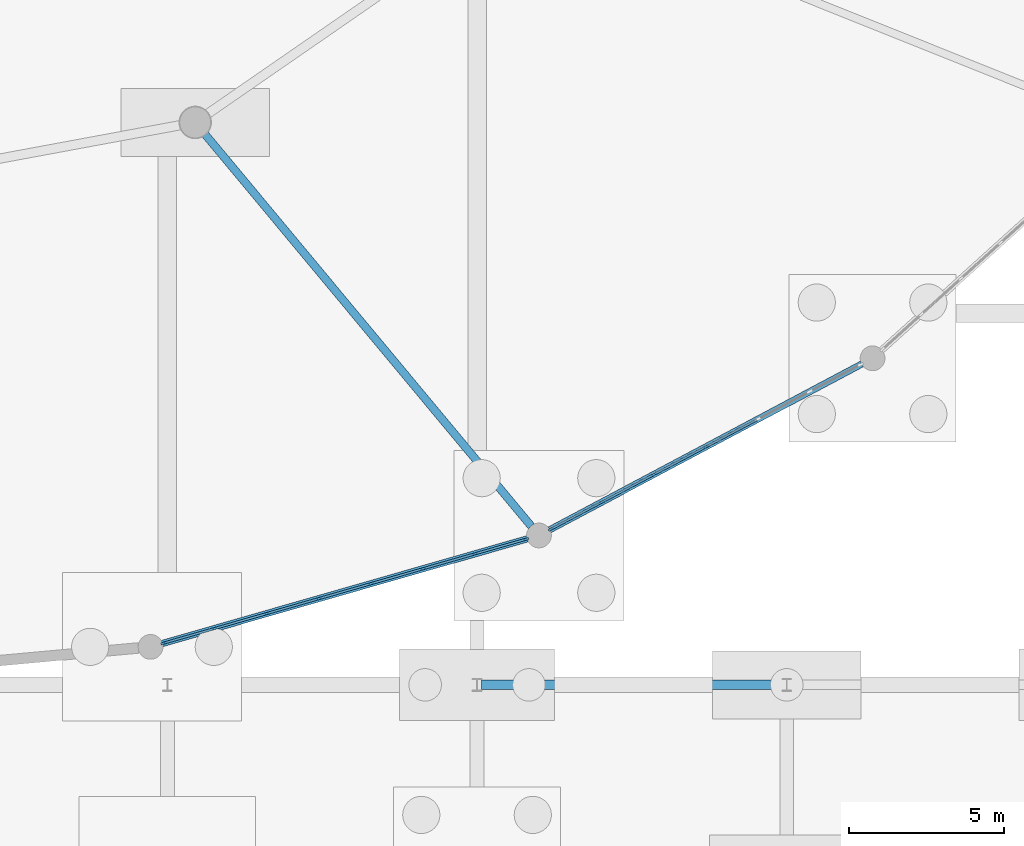
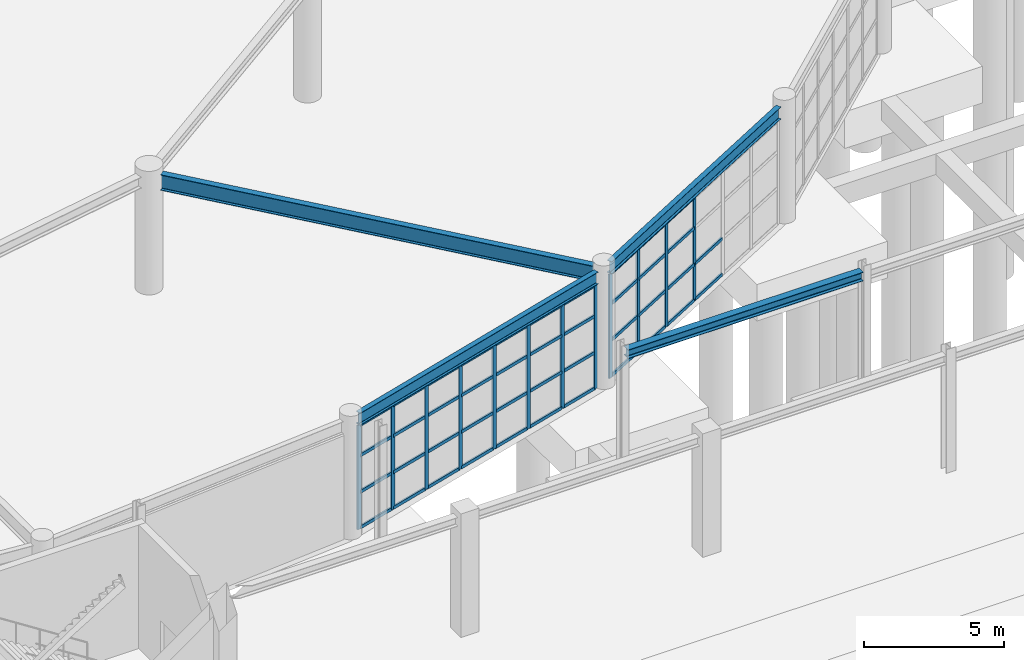
# One storey, part 34 of 99: 54 members, 4 beams, 2 elements without a shape of their own.
"""IFC4 building model written with IfcOpenShell, lengths in metres."""

import ifcopenshell
import ifcopenshell.guid

model = None  # the IFC model being written
_history = None  # IfcOwnerHistory: only IFC2X3 demands one
_inside = {}  # id of a spatial element -> (the spatial element, [elements in it])
_under = {}  # id of a project, library or spatial element -> (it, [spatial elements below it])
_declared = {}  # id of a project -> (the project, [libraries it declares])
_typed = {}  # id of a type object -> (the type object, [elements of that type])
_made_of = {}  # id of a material, layer set ... -> (it, [elements and type objects made of it])


def new_model(schema):
    """Start an empty IFC model of exactly this schema.

    Asked for "IFC4X3", IfcOpenShell would pick the latest addendum, in which some entities
    have other attributes; the version numbers below select the first issue.
    IFC2X3 requires an IfcOwnerHistory on every rooted entity: one is made here for all.
    """
    global model, _history
    if schema == "IFC4X3":
        model = ifcopenshell.file(schema_version=(4, 3, 0, 0))
    else:
        model = ifcopenshell.file(schema=schema)
    _inside.clear()
    _under.clear()
    _declared.clear()
    _typed.clear()
    _made_of.clear()
    _history = None
    if model.schema == "IFC2X3":
        org = make("IfcOrganization", Name="unknown")
        user = make(
            "IfcPersonAndOrganization",
            ThePerson=make("IfcPerson", FamilyName="unknown"),
            TheOrganization=org,
        )
        app = make(
            "IfcApplication",
            ApplicationDeveloper=org,
            Version="unknown",
            ApplicationFullName="unknown",
            ApplicationIdentifier="unknown",
        )
        _history = make(
            "IfcOwnerHistory",
            OwningUser=user,
            OwningApplication=app,
            ChangeAction="ADDED",
            CreationDate=0,
        )
    return model


def make(cls, **values):
    """One entity of the class cls with the attributes given. An attribute that is None is left unset."""
    return model.create_entity(
        cls, **{name: value for name, value in values.items() if value is not None}
    )


def rooted(cls, **values):
    """An entity with a GlobalId (a new one), such as an element, a storey or a relation."""
    return make(cls, GlobalId=ifcopenshell.guid.new(), OwnerHistory=_history, **values)


def si_unit(unit_type, name, prefix=None):
    """IfcSIUnit, for example si_unit("LENGTHUNIT", "METRE", prefix="MILLI")."""
    return make("IfcSIUnit", UnitType=unit_type, Prefix=prefix, Name=name)


def assignment(units):
    """IfcUnitAssignment: the units of a project."""
    return None if units is None else make("IfcUnitAssignment", Units=units)


def point(xyz):
    """IfcCartesianPoint."""
    return None if xyz is None else make("IfcCartesianPoint", Coordinates=xyz)


def direction(xyz):
    """IfcDirection."""
    return None if xyz is None else make("IfcDirection", DirectionRatios=xyz)


def frame(location, z_axis=None, x_axis=None):
    """IfcAxis2Placement3D, a coordinate frame: its origin and axes. An axis left out is left unset."""
    return make(
        "IfcAxis2Placement3D",
        Location=point(location),
        Axis=direction(z_axis),
        RefDirection=direction(x_axis),
    )


def frame_2d(location, x_axis=None):
    """IfcAxis2Placement2D, a coordinate frame in the plane: its origin and x axis."""
    return make(
        "IfcAxis2Placement2D", Location=point(location), RefDirection=direction(x_axis)
    )


def origin():
    """The frame at (0, 0, 0) with its axes left unset."""
    return frame((0.0, 0.0, 0.0))


def origin_2d():
    """The frame at (0, 0) in the plane with its x axis left unset."""
    return frame_2d((0.0, 0.0))


def place(relative_to, where):
    """IfcLocalPlacement: puts the frame where relative to a parent placement (None: the world)."""
    return make(
        "IfcLocalPlacement", PlacementRelTo=relative_to, RelativePlacement=where
    )


def context(
    kind, dimensions, precision=None, world=None, true_north=None, identifier=None
):
    """IfcGeometricRepresentationContext, for example the 3D "Model" context."""
    return make(
        "IfcGeometricRepresentationContext",
        ContextIdentifier=identifier,
        ContextType=kind,
        CoordinateSpaceDimension=dimensions,
        Precision=precision,
        WorldCoordinateSystem=world,
        TrueNorth=true_north,
    )


def subcontext(parent, identifier, kind, view, scale=None):
    """IfcGeometricRepresentationSubContext, for example "Body" below "Model"."""
    return make(
        "IfcGeometricRepresentationSubContext",
        ContextIdentifier=identifier,
        ContextType=kind,
        ParentContext=parent,
        TargetScale=scale,
        TargetView=view,
    )


def project(units=None, contexts=None):
    """IfcProject with its units and contexts."""
    return rooted(
        "IfcProject",
        Name="project",
        RepresentationContexts=contexts,
        UnitsInContext=assignment(units),
    )


def spatial(cls, under=None, at=None, **own):
    """A site, building, storey or space (cls), placed at a placement, below another one or the project."""
    s = rooted(cls, ObjectPlacement=at, **own)
    if under is not None:
        _under.setdefault(under.id(), (under, []))[1].append(s)
    return s


def profile(cls, at=None, kind="AREA", **sizes):
    """A parametric profile (cls). Its sizes go by their IFC names, for example OverallWidth=200.0."""
    return make(cls, ProfileType=kind, Position=at, **sizes)


def rectangle(**sizes):
    """IfcRectangleProfileDef."""
    return profile("IfcRectangleProfileDef", **sizes)


def i_section(**sizes):
    """IfcIShapeProfileDef."""
    return profile("IfcIShapeProfileDef", **sizes)


def extrude(swept, where, along, depth):
    """IfcExtrudedAreaSolid: the profile swept, set in the frame where, extruded along a direction by depth."""
    return make(
        "IfcExtrudedAreaSolid",
        SweptArea=swept,
        Position=where,
        ExtrudedDirection=direction(along),
        Depth=depth,
    )


def shape(context_of_items, identifier, shape_type, items):
    """IfcShapeRepresentation: the items that make up one representation, for example the "Body"."""
    return make(
        "IfcShapeRepresentation",
        ContextOfItems=context_of_items,
        RepresentationIdentifier=identifier,
        RepresentationType=shape_type,
        Items=items,
    )


def material(Name=None, Category=None):
    """IfcMaterial."""
    return make("IfcMaterial", Name=Name, Category=Category)


def layer(
    of_material, thickness, ventilated=None, Name=None, Category=None, Priority=None
):
    """IfcMaterialLayer: one layer of a wall or slab, of a material (None: an air gap)."""
    return make(
        "IfcMaterialLayer",
        Material=of_material,
        LayerThickness=thickness,
        IsVentilated=ventilated,
        Name=Name,
        Category=Category,
        Priority=Priority,
    )


def layer_set(layers, Name=None):
    """IfcMaterialLayerSet."""
    return make("IfcMaterialLayerSet", MaterialLayers=layers, LayerSetName=Name)


def material_profile(
    of_material, cross_section, Name=None, Category=None, Priority=None
):
    """IfcMaterialProfile: a cross section and its material."""
    return make(
        "IfcMaterialProfile",
        Name=Name,
        Material=of_material,
        Profile=cross_section,
        Priority=Priority,
        Category=Category,
    )


def profile_set(profiles, Name=None, composite=None):
    """IfcMaterialProfileSet."""
    return make(
        "IfcMaterialProfileSet",
        Name=Name,
        MaterialProfiles=profiles,
        CompositeProfile=composite,
    )


def made_of(thing, what):
    """Note that an element or type object is made of a material, layer set ...; save() writes the relation."""
    if what is not None:
        _made_of.setdefault(what.id(), (what, []))[1].append(thing)
    return thing


def type_object(cls, material=None, **own):
    """A type object (cls), such as IfcWallType, which elements share."""
    return made_of(rooted(cls, **own), material)


def element(
    cls,
    number,
    at=None,
    inside=None,
    cuts=None,
    type_object=None,
    material=None,
    context=None,
    identifier="Body",
    shape_type=None,
    held_by="IfcProductDefinitionShape",
    body=None,
    shapes=None,
    **own,
):
    """One element of the class cls, such as IfcWall. Its Tag is "e" and its number.

    at: its placement. inside: the storey or other place that contains it. cuts: it is an
    opening in that element (IfcRelVoidsElement). A single representation is given by context,
    identifier, shape_type and body (its items); several are given by shapes. held_by: the class
    of the entity that holds the representations. save() writes the other relations.
    """
    e = rooted(cls, Tag="e%d" % number, ObjectPlacement=at, **own)
    if body is not None:
        shapes = [shape(context, identifier, shape_type, body)]
    if shapes is not None:
        e.Representation = make(held_by, Representations=shapes)
    if inside is not None:
        _inside.setdefault(inside.id(), (inside, []))[1].append(e)
    if cuts is not None:
        rooted(
            "IfcRelVoidsElement", RelatingBuildingElement=cuts, RelatedOpeningElement=e
        )
    if type_object is not None:
        _typed.setdefault(type_object.id(), (type_object, []))[1].append(e)
    return made_of(e, material)


def aggregate(whole, parts):
    """IfcRelAggregates: a whole, such as a stair, and the parts it consists of."""
    return rooted("IfcRelAggregates", RelatingObject=whole, RelatedObjects=parts)


def save(model, path):
    """Write the relations noted so far, then the file.

    IfcRelAggregates (storeys below a building ...), IfcRelContainedInSpatialStructure (elements
    in a storey), IfcRelDefinesByType, IfcRelAssociatesMaterial and IfcRelDeclares: one each for
    every whole, place, type object, material and project.
    """
    for whole, parts in _under.values():
        aggregate(whole, parts)
    for where, things in _inside.values():
        rooted(
            "IfcRelContainedInSpatialStructure",
            RelatedElements=things,
            RelatingStructure=where,
        )
    for kind, things in _typed.values():
        rooted("IfcRelDefinesByType", RelatedObjects=things, RelatingType=kind)
    for what, things in _made_of.values():
        rooted("IfcRelAssociatesMaterial", RelatedObjects=things, RelatingMaterial=what)
    for by, libraries in _declared.values():
        rooted("IfcRelDeclares", RelatingContext=by, RelatedDefinitions=libraries)
    model.write(path)


model = new_model("IFC4")

# Units and contexts
model_context = context("Model", 3, precision=1e-05, world=origin(), true_north=direction((0.0, 1.0)))
body_context = subcontext(model_context, "Body", "Model", "MODEL_VIEW")
ifc_project = project(units=[si_unit("LENGTHUNIT", "METRE"), si_unit("AREAUNIT", "SQUARE_METRE"), si_unit("VOLUMEUNIT", "CUBIC_METRE"), si_unit("PLANEANGLEUNIT", "RADIAN"), si_unit("MASSUNIT", "GRAM", prefix="KILO")], contexts=[model_context])

# Site, building, storey
site_placement = place(None, origin())
site = spatial("IfcSite", under=ifc_project, at=site_placement, CompositionType="ELEMENT")
building_placement = place(site_placement, origin())
building = spatial("IfcBuilding", under=site, at=building_placement, Name="Kivolera Central Railway Station", CompositionType="ELEMENT")
storey_placement = place(building_placement, origin())
storey = spatial("IfcBuildingStorey", under=building, at=storey_placement, Name="L00", CompositionType="ELEMENT", Elevation=0.0)

# Beams
ifc_material_1 = material(Name="Steel S355", Category="steel")
ifc_material_profile_1 = material_profile(ifc_material_1, i_section(OverallWidth=0.300048828125, OverallDepth=0.389892578125, WebThickness=0.010986328125, FlangeThickness=0.01904296875, FilletRadius=0.027099609375, at=origin_2d()), Name="HEA 400")
ifc_profile_set_1 = profile_set([ifc_material_profile_1], Name="Steel S355")
beam_type_1 = type_object("IfcBeamType", Name="BM-SHD-HEA400", PredefinedType="BEAM", material=ifc_profile_set_1)
beam_1_placement = place(storey_placement, frame((88.136962890625, 54.0, 4.919921875), z_axis=(1.0, 0.0, 0.0), x_axis=(0.0, 1.0, 0.0)))
element("IfcBeam", 1, at=beam_1_placement, inside=storey, type_object=beam_type_1, Name="Train Shed Longitudinal Tie Beam E:9-10", PredefinedType="BEAM", context=body_context, shape_type="SweptSolid", body=[
    extrude(i_section(OverallWidth=0.300048828125, OverallDepth=0.389892578125, WebThickness=0.010986328125, FlangeThickness=0.01904296875, FilletRadius=0.027099609375, at=origin_2d()), origin(), (0.0, 0.0, 1.0), 9.72607421875),
])
ifc_material_profile_2 = material_profile(ifc_material_1, i_section(OverallWidth=0.209228515625, OverallDepth=0.533203125, WebThickness=0.010009765625, FlangeThickness=0.015625, FilletRadius=0.0126953125, at=origin_2d()), Name="UB 533x210x92")
ifc_profile_set_2 = profile_set([ifc_material_profile_2], Name="Steel S355")
beam_type_2 = type_object("IfcBeamType", Name="BM-SHD-UB533", PredefinedType="BEAM", material=ifc_profile_set_2)
beam_2_placement = place(storey_placement, frame((77.833984375, 55.333984375, 4.841064453125), z_axis=(0.961238780007, 0.275717260631, 0.0), x_axis=(-0.275717260631, 0.961238780007, 0.0)))
element("IfcBeam", 2, at=beam_2_placement, inside=storey, type_object=beam_type_2, Name="L00 Oval Perimeter Ring Beam 20", PredefinedType="BEAM", context=body_context, shape_type="SweptSolid", body=[
    extrude(i_section(OverallWidth=0.209228515625, OverallDepth=0.533203125, WebThickness=0.010009765625, FlangeThickness=0.015625, FilletRadius=0.0126953125, at=origin_2d()), origin(), (0.0, 0.0, 1.0), 12.266357421875),
])
beam_3_placement = place(storey_placement, frame((90.343994140625, 59.006103515625, 4.841064453125), z_axis=(0.883155588993, 0.469080169725, 0.0), x_axis=(-0.469080169725, 0.883155588993, 0.0)))
element("IfcBeam", 3, at=beam_3_placement, inside=storey, type_object=beam_type_2, Name="L00 Oval Perimeter Ring Beam 21", PredefinedType="BEAM", context=body_context, shape_type="SweptSolid", body=[
    extrude(i_section(OverallWidth=0.209228515625, OverallDepth=0.533203125, WebThickness=0.010009765625, FlangeThickness=0.015625, FilletRadius=0.0126953125, at=origin_2d()), origin(), (0.0, 0.0, 1.0), 11.416015625),
])
ifc_material_profile_3 = material_profile(ifc_material_1, i_section(OverallWidth=0.253662109375, OverallDepth=0.68359375, WebThickness=0.012451171875, FlangeThickness=0.01904296875, FilletRadius=0.01513671875, at=origin_2d()), Name="UB 686x254x140")
ifc_profile_set_3 = profile_set([ifc_material_profile_3], Name="Steel S355")
beam_type_3 = type_object("IfcBeamType", Name="BM-SHD-UB686", PredefinedType="BEAM", material=ifc_profile_set_3)
beam_4_placement = place(storey_placement, frame((79.212890625, 71.782958984375, 4.76611328125), z_axis=(0.639760063775, -0.768574694353, 0.0), x_axis=(0.768574694353, 0.639760063775, 0.0)))
element("IfcBeam", 4, at=beam_4_placement, inside=storey, type_object=beam_type_3, Name="L00 Oval Gallery Radial Girder 11", PredefinedType="BEAM", context=body_context, shape_type="SweptSolid", body=[
    extrude(i_section(OverallWidth=0.253662109375, OverallDepth=0.68359375, WebThickness=0.012451171875, FlangeThickness=0.01904296875, FilletRadius=0.01513671875, at=origin_2d()), origin(), (0.0, 0.0, 1.0), 16.471923828125),
])

# Curtain wall, members
ifc_material_2 = material(Name="Anodised aluminium", Category="aluminium")
ifc_layer_1 = layer(ifc_material_2, 0.179931640625, Name="Anodised aluminium")
ifc_layer_set_1 = layer_set([ifc_layer_1], Name="Anodised aluminium")
curtain_wall_type_1 = type_object("IfcCurtainWallType", Name="CW-SYS-16", PredefinedType="NOTDEFINED", material=ifc_layer_set_1)
curtain_wall_1_placement = place(storey_placement, origin())
curtain_wall_1 = element("IfcCurtainWall", 5, at=curtain_wall_1_placement, inside=storey, type_object=curtain_wall_type_1, Name="L00 Curtain Wall CW-L00-OVL-19", PredefinedType="NOTDEFINED")
ifc_material_profile_4 = material_profile(ifc_material_2, rectangle(XDim=0.070068359375, YDim=0.179931640625, at=origin_2d()), Name="ALU MULL 70x180")
ifc_profile_set_4 = profile_set([ifc_material_profile_4], Name="Anodised aluminium")
member_type_1 = type_object("IfcMemberType", Name="CWM-MUL-1", PredefinedType="MULLION", material=ifc_profile_set_4)
member_1_placement = place(storey_placement, frame((89.581298828125, 58.703369140625, -0.0048828125), z_axis=(0.0, 0.0, 1.0), x_axis=(0.27569168989, -0.961246114232, 0.0)))
member_1 = element("IfcMember", 6, at=member_1_placement, type_object=member_type_1, Name="CW-16 mullion 1", PredefinedType="MULLION", context=body_context, shape_type="SweptSolid", body=[
    extrude(rectangle(XDim=0.070068359375, YDim=0.179931640625, at=origin_2d()), origin(), (0.0, 0.0, 1.0), 4.554931640625),
])
member_2_placement = place(storey_placement, frame((87.933349609375, 58.230712890625, -0.0048828125), z_axis=(0.0, 0.0, 1.0), x_axis=(0.27569168989, -0.961246114232, 0.0)))
member_2 = element("IfcMember", 7, at=member_2_placement, type_object=member_type_1, Name="CW-16 mullion 2", PredefinedType="MULLION", context=body_context, shape_type="SweptSolid", body=[
    extrude(rectangle(XDim=0.070068359375, YDim=0.179931640625, at=origin_2d()), origin(), (0.0, 0.0, 1.0), 4.554931640625),
])
member_3_placement = place(storey_placement, frame((86.251953125, 57.74853515625, -0.0048828125), z_axis=(0.0, 0.0, 1.0), x_axis=(0.27569168989, -0.961246114232, 0.0)))
member_3 = element("IfcMember", 8, at=member_3_placement, type_object=member_type_1, Name="CW-16 mullion 3", PredefinedType="MULLION", context=body_context, shape_type="SweptSolid", body=[
    extrude(rectangle(XDim=0.070068359375, YDim=0.179931640625, at=origin_2d()), origin(), (0.0, 0.0, 1.0), 4.554931640625),
])
member_4_placement = place(storey_placement, frame((84.5703125, 57.26611328125, -0.0048828125), z_axis=(0.0, 0.0, 1.0), x_axis=(0.27569168989, -0.961246114232, 0.0)))
member_4 = element("IfcMember", 9, at=member_4_placement, type_object=member_type_1, Name="CW-16 mullion 4", PredefinedType="MULLION", context=body_context, shape_type="SweptSolid", body=[
    extrude(rectangle(XDim=0.070068359375, YDim=0.179931640625, at=origin_2d()), origin(), (0.0, 0.0, 1.0), 4.554931640625),
])
member_5_placement = place(storey_placement, frame((82.888671875, 56.783935546875, -0.0048828125), z_axis=(0.0, 0.0, 1.0), x_axis=(0.27569168989, -0.961246114232, 0.0)))
member_5 = element("IfcMember", 10, at=member_5_placement, type_object=member_type_1, Name="CW-16 mullion 5", PredefinedType="MULLION", context=body_context, shape_type="SweptSolid", body=[
    extrude(rectangle(XDim=0.070068359375, YDim=0.179931640625, at=origin_2d()), origin(), (0.0, 0.0, 1.0), 4.554931640625),
])
member_6_placement = place(storey_placement, frame((81.20703125, 56.301513671875, -0.0048828125), z_axis=(0.0, 0.0, 1.0), x_axis=(0.27569168989, -0.961246114232, 0.0)))
member_6 = element("IfcMember", 11, at=member_6_placement, type_object=member_type_1, Name="CW-16 mullion 6", PredefinedType="MULLION", context=body_context, shape_type="SweptSolid", body=[
    extrude(rectangle(XDim=0.070068359375, YDim=0.179931640625, at=origin_2d()), origin(), (0.0, 0.0, 1.0), 4.554931640625),
])
member_7_placement = place(storey_placement, frame((79.525634765625, 55.8193359375, -0.0048828125), z_axis=(0.0, 0.0, 1.0), x_axis=(0.27569168989, -0.961246114232, 0.0)))
member_7 = element("IfcMember", 12, at=member_7_placement, type_object=member_type_1, Name="CW-16 mullion 7", PredefinedType="MULLION", context=body_context, shape_type="SweptSolid", body=[
    extrude(rectangle(XDim=0.070068359375, YDim=0.179931640625, at=origin_2d()), origin(), (0.0, 0.0, 1.0), 4.554931640625),
])
member_8_placement = place(storey_placement, frame((77.877685546875, 55.3466796875, -0.0048828125), z_axis=(0.0, 0.0, 1.0), x_axis=(0.27569168989, -0.961246114232, 0.0)))
member_8 = element("IfcMember", 13, at=member_8_placement, type_object=member_type_1, Name="CW-16 mullion 8", PredefinedType="MULLION", context=body_context, shape_type="SweptSolid", body=[
    extrude(rectangle(XDim=0.070068359375, YDim=0.179931640625, at=origin_2d()), origin(), (0.0, 0.0, 1.0), 4.554931640625),
])

ifc_layer_2 = layer(ifc_material_2, 0.179931640625, Name="Anodised aluminium")
ifc_layer_set_2 = layer_set([ifc_layer_2], Name="Anodised aluminium")
curtain_wall_type_2 = type_object("IfcCurtainWallType", Name="CW-SYS-07", PredefinedType="NOTDEFINED", material=ifc_layer_set_2)
curtain_wall_2_placement = place(storey_placement, origin())
curtain_wall_2 = element("IfcCurtainWall", 14, at=curtain_wall_2_placement, inside=storey, type_object=curtain_wall_type_2, Name="L00 Curtain Wall CW-L00-OVL-20", PredefinedType="NOTDEFINED")
member_9_placement = place(storey_placement, frame((95.385009765625, 61.68359375, -0.0048828125), z_axis=(0.0, 0.0, 1.0), x_axis=(0.469052563023, -0.883170251493, 0.0)))
member_9 = element("IfcMember", 15, at=member_9_placement, type_object=member_type_1, Name="CW-07 mullion 4", PredefinedType="MULLION", context=body_context, shape_type="SweptSolid", body=[
    extrude(rectangle(XDim=0.070068359375, YDim=0.179931640625, at=origin_2d()), origin(), (0.0, 0.0, 1.0), 4.554931640625),
])
member_10_placement = place(storey_placement, frame((93.707763671875, 60.792724609375, -0.0048828125), z_axis=(0.0, 0.0, 1.0), x_axis=(0.469052563023, -0.883170251493, 0.0)))
member_10 = element("IfcMember", 16, at=member_10_placement, type_object=member_type_1, Name="CW-07 mullion 5", PredefinedType="MULLION", context=body_context, shape_type="SweptSolid", body=[
    extrude(rectangle(XDim=0.070068359375, YDim=0.179931640625, at=origin_2d()), origin(), (0.0, 0.0, 1.0), 4.554931640625),
])
member_11_placement = place(storey_placement, frame((92.0302734375, 59.90185546875, -0.0048828125), z_axis=(0.0, 0.0, 1.0), x_axis=(0.469052563023, -0.883170251493, 0.0)))
member_11 = element("IfcMember", 17, at=member_11_placement, type_object=member_type_1, Name="CW-07 mullion 6", PredefinedType="MULLION", context=body_context, shape_type="SweptSolid", body=[
    extrude(rectangle(XDim=0.070068359375, YDim=0.179931640625, at=origin_2d()), origin(), (0.0, 0.0, 1.0), 4.554931640625),
])
member_12_placement = place(storey_placement, frame((90.3837890625, 59.02734375, -0.0048828125), z_axis=(0.0, 0.0, 1.0), x_axis=(0.469052563023, -0.883170251493, 0.0)))
member_12 = element("IfcMember", 18, at=member_12_placement, type_object=member_type_1, Name="CW-07 mullion 7", PredefinedType="MULLION", context=body_context, shape_type="SweptSolid", body=[
    extrude(rectangle(XDim=0.070068359375, YDim=0.179931640625, at=origin_2d()), origin(), (0.0, 0.0, 1.0), 4.554931640625),
])

# Member
ifc_material_profile_5 = material_profile(ifc_material_2, rectangle(XDim=0.070068359375, YDim=0.139892578125, at=origin_2d()), Name="ALU TRAN 70x140")
ifc_profile_set_5 = profile_set([ifc_material_profile_5], Name="Anodised aluminium")
member_type_2 = type_object("IfcMemberType", Name="CWM-TRN-1", PredefinedType="USERDEFINED", material=ifc_profile_set_5)
member_13_placement = place(storey_placement, frame((89.547607421875, 58.693603515625, 0.034912109375), z_axis=(-0.961277023143, -0.275583897892, 0.0), x_axis=(0.275583897892, -0.961277023143, 0.0)))
member_13 = element("IfcMember", 19, at=member_13_placement, type_object=member_type_2, Name="CW-16 transom 1.1", ObjectType="TRANSOM", PredefinedType="USERDEFINED", context=body_context, shape_type="SweptSolid", body=[
    extrude(rectangle(XDim=0.070068359375, YDim=0.139892578125, at=origin_2d()), origin(), (0.0, 0.0, 1.0), 1.644287109375),
])

member_14_placement = place(storey_placement, frame((89.547607421875, 58.693603515625, 1.592529296875), z_axis=(-0.961277023143, -0.275583897892, 0.0), x_axis=(0.275583897892, -0.961277023143, 0.0)))
member_14 = element("IfcMember", 20, at=member_14_placement, type_object=member_type_2, Name="CW-16 transom 1.2", ObjectType="TRANSOM", PredefinedType="USERDEFINED", context=body_context, shape_type="SweptSolid", body=[
    extrude(rectangle(XDim=0.070068359375, YDim=0.139892578125, at=origin_2d()), origin(), (0.0, 0.0, 1.0), 1.644287109375),
])

member_15_placement = place(storey_placement, frame((89.547607421875, 58.693603515625, 3.18505859375), z_axis=(-0.961277023143, -0.275583897892, 0.0), x_axis=(0.275583897892, -0.961277023143, 0.0)))
member_15 = element("IfcMember", 21, at=member_15_placement, type_object=member_type_2, Name="CW-16 transom 1.3", ObjectType="TRANSOM", PredefinedType="USERDEFINED", context=body_context, shape_type="SweptSolid", body=[
    extrude(rectangle(XDim=0.070068359375, YDim=0.139892578125, at=origin_2d()), origin(), (0.0, 0.0, 1.0), 1.644287109375),
])

member_16_placement = place(storey_placement, frame((89.547607421875, 58.693603515625, 4.514892578125), z_axis=(-0.961277023143, -0.275583897892, 0.0), x_axis=(0.275583897892, -0.961277023143, 0.0)))
member_16 = element("IfcMember", 22, at=member_16_placement, type_object=member_type_2, Name="CW-16 transom 1.4", ObjectType="TRANSOM", PredefinedType="USERDEFINED", context=body_context, shape_type="SweptSolid", body=[
    extrude(rectangle(XDim=0.070068359375, YDim=0.139892578125, at=origin_2d()), origin(), (0.0, 0.0, 1.0), 1.644287109375),
])

member_17_placement = place(storey_placement, frame((87.89990234375, 58.220947265625, 0.034912109375), z_axis=(-0.961271217599, -0.275604147674, 0.0), x_axis=(0.275604147674, -0.961271217599, 0.0)))
member_17 = element("IfcMember", 23, at=member_17_placement, type_object=member_type_2, Name="CW-16 transom 2.1", ObjectType="TRANSOM", PredefinedType="USERDEFINED", context=body_context, shape_type="SweptSolid", body=[
    extrude(rectangle(XDim=0.070068359375, YDim=0.139892578125, at=origin_2d()), origin(), (0.0, 0.0, 1.0), 1.679443359375),
])

member_18_placement = place(storey_placement, frame((87.89990234375, 58.220947265625, 1.592529296875), z_axis=(-0.961271217599, -0.275604147674, 0.0), x_axis=(0.275604147674, -0.961271217599, 0.0)))
member_18 = element("IfcMember", 24, at=member_18_placement, type_object=member_type_2, Name="CW-16 transom 2.2", ObjectType="TRANSOM", PredefinedType="USERDEFINED", context=body_context, shape_type="SweptSolid", body=[
    extrude(rectangle(XDim=0.070068359375, YDim=0.139892578125, at=origin_2d()), origin(), (0.0, 0.0, 1.0), 1.679443359375),
])

member_19_placement = place(storey_placement, frame((87.89990234375, 58.220947265625, 3.18505859375), z_axis=(-0.961271217599, -0.275604147674, 0.0), x_axis=(0.275604147674, -0.961271217599, 0.0)))
member_19 = element("IfcMember", 25, at=member_19_placement, type_object=member_type_2, Name="CW-16 transom 2.3", ObjectType="TRANSOM", PredefinedType="USERDEFINED", context=body_context, shape_type="SweptSolid", body=[
    extrude(rectangle(XDim=0.070068359375, YDim=0.139892578125, at=origin_2d()), origin(), (0.0, 0.0, 1.0), 1.679443359375),
])

member_20_placement = place(storey_placement, frame((87.89990234375, 58.220947265625, 4.514892578125), z_axis=(-0.961271217599, -0.275604147674, 0.0), x_axis=(0.275604147674, -0.961271217599, 0.0)))
member_20 = element("IfcMember", 26, at=member_20_placement, type_object=member_type_2, Name="CW-16 transom 2.4", ObjectType="TRANSOM", PredefinedType="USERDEFINED", context=body_context, shape_type="SweptSolid", body=[
    extrude(rectangle(XDim=0.070068359375, YDim=0.139892578125, at=origin_2d()), origin(), (0.0, 0.0, 1.0), 1.679443359375),
])

member_21_placement = place(storey_placement, frame((86.21826171875, 57.73876953125, 0.034912109375), z_axis=(-0.961260174018, -0.27564266333, 0.0), x_axis=(0.27564266333, -0.961260174018, 0.0)))
member_21 = element("IfcMember", 27, at=member_21_placement, type_object=member_type_2, Name="CW-16 transom 3.1", ObjectType="TRANSOM", PredefinedType="USERDEFINED", context=body_context, shape_type="SweptSolid", body=[
    extrude(rectangle(XDim=0.070068359375, YDim=0.139892578125, at=origin_2d()), origin(), (0.0, 0.0, 1.0), 1.67919921875),
])

member_22_placement = place(storey_placement, frame((86.21826171875, 57.73876953125, 1.592529296875), z_axis=(-0.961260174018, -0.27564266333, 0.0), x_axis=(0.27564266333, -0.961260174018, 0.0)))
member_22 = element("IfcMember", 28, at=member_22_placement, type_object=member_type_2, Name="CW-16 transom 3.2", ObjectType="TRANSOM", PredefinedType="USERDEFINED", context=body_context, shape_type="SweptSolid", body=[
    extrude(rectangle(XDim=0.070068359375, YDim=0.139892578125, at=origin_2d()), origin(), (0.0, 0.0, 1.0), 1.67919921875),
])

member_23_placement = place(storey_placement, frame((86.21826171875, 57.73876953125, 3.18505859375), z_axis=(-0.961260174018, -0.27564266333, 0.0), x_axis=(0.27564266333, -0.961260174018, 0.0)))
member_23 = element("IfcMember", 29, at=member_23_placement, type_object=member_type_2, Name="CW-16 transom 3.3", ObjectType="TRANSOM", PredefinedType="USERDEFINED", context=body_context, shape_type="SweptSolid", body=[
    extrude(rectangle(XDim=0.070068359375, YDim=0.139892578125, at=origin_2d()), origin(), (0.0, 0.0, 1.0), 1.67919921875),
])

member_24_placement = place(storey_placement, frame((86.21826171875, 57.73876953125, 4.514892578125), z_axis=(-0.961260174018, -0.27564266333, 0.0), x_axis=(0.27564266333, -0.961260174018, 0.0)))
member_24 = element("IfcMember", 30, at=member_24_placement, type_object=member_type_2, Name="CW-16 transom 3.4", ObjectType="TRANSOM", PredefinedType="USERDEFINED", context=body_context, shape_type="SweptSolid", body=[
    extrude(rectangle(XDim=0.070068359375, YDim=0.139892578125, at=origin_2d()), origin(), (0.0, 0.0, 1.0), 1.67919921875),
])

member_25_placement = place(storey_placement, frame((84.53662109375, 57.256591796875, 0.034912109375), z_axis=(-0.961221645359, -0.275776990509, 0.0), x_axis=(0.275776990509, -0.961221645359, 0.0)))
member_25 = element("IfcMember", 31, at=member_25_placement, type_object=member_type_2, Name="CW-16 transom 4.1", ObjectType="TRANSOM", PredefinedType="USERDEFINED", context=body_context, shape_type="SweptSolid", body=[
    extrude(rectangle(XDim=0.070068359375, YDim=0.139892578125, at=origin_2d()), origin(), (0.0, 0.0, 1.0), 1.679443359375),
])

member_26_placement = place(storey_placement, frame((84.53662109375, 57.256591796875, 1.592529296875), z_axis=(-0.961221645359, -0.275776990509, 0.0), x_axis=(0.275776990509, -0.961221645359, 0.0)))
member_26 = element("IfcMember", 32, at=member_26_placement, type_object=member_type_2, Name="CW-16 transom 4.2", ObjectType="TRANSOM", PredefinedType="USERDEFINED", context=body_context, shape_type="SweptSolid", body=[
    extrude(rectangle(XDim=0.070068359375, YDim=0.139892578125, at=origin_2d()), origin(), (0.0, 0.0, 1.0), 1.679443359375),
])

member_27_placement = place(storey_placement, frame((84.53662109375, 57.256591796875, 3.18505859375), z_axis=(-0.961221645359, -0.275776990509, 0.0), x_axis=(0.275776990509, -0.961221645359, 0.0)))
member_27 = element("IfcMember", 33, at=member_27_placement, type_object=member_type_2, Name="CW-16 transom 4.3", ObjectType="TRANSOM", PredefinedType="USERDEFINED", context=body_context, shape_type="SweptSolid", body=[
    extrude(rectangle(XDim=0.070068359375, YDim=0.139892578125, at=origin_2d()), origin(), (0.0, 0.0, 1.0), 1.679443359375),
])

member_28_placement = place(storey_placement, frame((84.53662109375, 57.256591796875, 4.514892578125), z_axis=(-0.961221645359, -0.275776990509, 0.0), x_axis=(0.275776990509, -0.961221645359, 0.0)))
member_28 = element("IfcMember", 34, at=member_28_placement, type_object=member_type_2, Name="CW-16 transom 4.4", ObjectType="TRANSOM", PredefinedType="USERDEFINED", context=body_context, shape_type="SweptSolid", body=[
    extrude(rectangle(XDim=0.070068359375, YDim=0.139892578125, at=origin_2d()), origin(), (0.0, 0.0, 1.0), 1.679443359375),
])

member_29_placement = place(storey_placement, frame((82.85498046875, 56.774169921875, 0.034912109375), z_axis=(-0.961260174018, -0.27564266333, 0.0), x_axis=(0.27564266333, -0.961260174018, 0.0)))
member_29 = element("IfcMember", 35, at=member_29_placement, type_object=member_type_2, Name="CW-16 transom 5.1", ObjectType="TRANSOM", PredefinedType="USERDEFINED", context=body_context, shape_type="SweptSolid", body=[
    extrude(rectangle(XDim=0.070068359375, YDim=0.139892578125, at=origin_2d()), origin(), (0.0, 0.0, 1.0), 1.67919921875),
])

member_30_placement = place(storey_placement, frame((82.85498046875, 56.774169921875, 1.592529296875), z_axis=(-0.961260174018, -0.27564266333, 0.0), x_axis=(0.27564266333, -0.961260174018, 0.0)))
member_30 = element("IfcMember", 36, at=member_30_placement, type_object=member_type_2, Name="CW-16 transom 5.2", ObjectType="TRANSOM", PredefinedType="USERDEFINED", context=body_context, shape_type="SweptSolid", body=[
    extrude(rectangle(XDim=0.070068359375, YDim=0.139892578125, at=origin_2d()), origin(), (0.0, 0.0, 1.0), 1.67919921875),
])

member_31_placement = place(storey_placement, frame((82.85498046875, 56.774169921875, 3.18505859375), z_axis=(-0.961260174018, -0.27564266333, 0.0), x_axis=(0.27564266333, -0.961260174018, 0.0)))
member_31 = element("IfcMember", 37, at=member_31_placement, type_object=member_type_2, Name="CW-16 transom 5.3", ObjectType="TRANSOM", PredefinedType="USERDEFINED", context=body_context, shape_type="SweptSolid", body=[
    extrude(rectangle(XDim=0.070068359375, YDim=0.139892578125, at=origin_2d()), origin(), (0.0, 0.0, 1.0), 1.67919921875),
])

member_32_placement = place(storey_placement, frame((82.85498046875, 56.774169921875, 4.514892578125), z_axis=(-0.961260174018, -0.27564266333, 0.0), x_axis=(0.27564266333, -0.961260174018, 0.0)))
member_32 = element("IfcMember", 38, at=member_32_placement, type_object=member_type_2, Name="CW-16 transom 5.4", ObjectType="TRANSOM", PredefinedType="USERDEFINED", context=body_context, shape_type="SweptSolid", body=[
    extrude(rectangle(XDim=0.070068359375, YDim=0.139892578125, at=origin_2d()), origin(), (0.0, 0.0, 1.0), 1.67919921875),
])

member_33_placement = place(storey_placement, frame((81.173583984375, 56.2919921875, 0.034912109375), z_axis=(-0.961221645359, -0.275776990509, 0.0), x_axis=(0.275776990509, -0.961221645359, 0.0)))
member_33 = element("IfcMember", 39, at=member_33_placement, type_object=member_type_2, Name="CW-16 transom 6.1", ObjectType="TRANSOM", PredefinedType="USERDEFINED", context=body_context, shape_type="SweptSolid", body=[
    extrude(rectangle(XDim=0.070068359375, YDim=0.139892578125, at=origin_2d()), origin(), (0.0, 0.0, 1.0), 1.679443359375),
])

member_34_placement = place(storey_placement, frame((81.173583984375, 56.2919921875, 1.592529296875), z_axis=(-0.961221645359, -0.275776990509, 0.0), x_axis=(0.275776990509, -0.961221645359, 0.0)))
member_34 = element("IfcMember", 40, at=member_34_placement, type_object=member_type_2, Name="CW-16 transom 6.2", ObjectType="TRANSOM", PredefinedType="USERDEFINED", context=body_context, shape_type="SweptSolid", body=[
    extrude(rectangle(XDim=0.070068359375, YDim=0.139892578125, at=origin_2d()), origin(), (0.0, 0.0, 1.0), 1.679443359375),
])

member_35_placement = place(storey_placement, frame((81.173583984375, 56.2919921875, 3.18505859375), z_axis=(-0.961221645359, -0.275776990509, 0.0), x_axis=(0.275776990509, -0.961221645359, 0.0)))
member_35 = element("IfcMember", 41, at=member_35_placement, type_object=member_type_2, Name="CW-16 transom 6.3", ObjectType="TRANSOM", PredefinedType="USERDEFINED", context=body_context, shape_type="SweptSolid", body=[
    extrude(rectangle(XDim=0.070068359375, YDim=0.139892578125, at=origin_2d()), origin(), (0.0, 0.0, 1.0), 1.679443359375),
])

member_36_placement = place(storey_placement, frame((81.173583984375, 56.2919921875, 4.514892578125), z_axis=(-0.961221645359, -0.275776990509, 0.0), x_axis=(0.275776990509, -0.961221645359, 0.0)))
member_36 = element("IfcMember", 42, at=member_36_placement, type_object=member_type_2, Name="CW-16 transom 6.4", ObjectType="TRANSOM", PredefinedType="USERDEFINED", context=body_context, shape_type="SweptSolid", body=[
    extrude(rectangle(XDim=0.070068359375, YDim=0.139892578125, at=origin_2d()), origin(), (0.0, 0.0, 1.0), 1.679443359375),
])

member_37_placement = place(storey_placement, frame((79.491943359375, 55.8095703125, 0.034912109375), z_axis=(-0.961237680042, -0.275721095434, 0.0), x_axis=(0.275721095434, -0.961237680042, 0.0)))
member_37 = element("IfcMember", 43, at=member_37_placement, type_object=member_type_2, Name="CW-16 transom 7.1", ObjectType="TRANSOM", PredefinedType="USERDEFINED", context=body_context, shape_type="SweptSolid", body=[
    extrude(rectangle(XDim=0.070068359375, YDim=0.139892578125, at=origin_2d()), origin(), (0.0, 0.0, 1.0), 1.644287109375),
])

member_38_placement = place(storey_placement, frame((79.491943359375, 55.8095703125, 1.592529296875), z_axis=(-0.961237680042, -0.275721095434, 0.0), x_axis=(0.275721095434, -0.961237680042, 0.0)))
member_38 = element("IfcMember", 44, at=member_38_placement, type_object=member_type_2, Name="CW-16 transom 7.2", ObjectType="TRANSOM", PredefinedType="USERDEFINED", context=body_context, shape_type="SweptSolid", body=[
    extrude(rectangle(XDim=0.070068359375, YDim=0.139892578125, at=origin_2d()), origin(), (0.0, 0.0, 1.0), 1.644287109375),
])

member_39_placement = place(storey_placement, frame((79.491943359375, 55.8095703125, 3.18505859375), z_axis=(-0.961237680042, -0.275721095434, 0.0), x_axis=(0.275721095434, -0.961237680042, 0.0)))
member_39 = element("IfcMember", 45, at=member_39_placement, type_object=member_type_2, Name="CW-16 transom 7.3", ObjectType="TRANSOM", PredefinedType="USERDEFINED", context=body_context, shape_type="SweptSolid", body=[
    extrude(rectangle(XDim=0.070068359375, YDim=0.139892578125, at=origin_2d()), origin(), (0.0, 0.0, 1.0), 1.644287109375),
])

member_40_placement = place(storey_placement, frame((79.491943359375, 55.8095703125, 4.514892578125), z_axis=(-0.961237680042, -0.275721095434, 0.0), x_axis=(0.275721095434, -0.961237680042, 0.0)))
member_40 = element("IfcMember", 46, at=member_40_placement, type_object=member_type_2, Name="CW-16 transom 7.4", ObjectType="TRANSOM", PredefinedType="USERDEFINED", context=body_context, shape_type="SweptSolid", body=[
    extrude(rectangle(XDim=0.070068359375, YDim=0.139892578125, at=origin_2d()), origin(), (0.0, 0.0, 1.0), 1.644287109375),
])

aggregate(curtain_wall_1, [member_1, member_2, member_3, member_4, member_5, member_6, member_7, member_8, member_13, member_14, member_15, member_16, member_17, member_18, member_19, member_20, member_21, member_22, member_23, member_24, member_25, member_26, member_27, member_28, member_29, member_30, member_31, member_32, member_33, member_34, member_35, member_36, member_37, member_38, member_39, member_40])

member_41_placement = place(storey_placement, frame((97.031494140625, 62.557861328125, 0.034912109375), z_axis=(-0.88318656257, -0.469021849913, 0.0), x_axis=(0.469021849913, -0.88318656257, 0.0)))
member_41 = element("IfcMember", 47, at=member_41_placement, type_object=member_type_2, Name="CW-07 transom 3.1", ObjectType="TRANSOM", PredefinedType="USERDEFINED", context=body_context, shape_type="SweptSolid", body=[
    extrude(rectangle(XDim=0.070068359375, YDim=0.139892578125, at=origin_2d()), origin(), (0.0, 0.0, 1.0), 1.8291015625),
])

member_42_placement = place(storey_placement, frame((97.031494140625, 62.557861328125, 1.592529296875), z_axis=(-0.88318656257, -0.469021849913, 0.0), x_axis=(0.469021849913, -0.88318656257, 0.0)))
member_42 = element("IfcMember", 48, at=member_42_placement, type_object=member_type_2, Name="CW-07 transom 3.2", ObjectType="TRANSOM", PredefinedType="USERDEFINED", context=body_context, shape_type="SweptSolid", body=[
    extrude(rectangle(XDim=0.070068359375, YDim=0.139892578125, at=origin_2d()), origin(), (0.0, 0.0, 1.0), 1.8291015625),
])

member_43_placement = place(storey_placement, frame((95.35400390625, 61.6669921875, 0.034912109375), z_axis=(-0.88318656257, -0.469021849913, 0.0), x_axis=(0.469021849913, -0.88318656257, 0.0)))
member_43 = element("IfcMember", 49, at=member_43_placement, type_object=member_type_2, Name="CW-07 transom 4.1", ObjectType="TRANSOM", PredefinedType="USERDEFINED", context=body_context, shape_type="SweptSolid", body=[
    extrude(rectangle(XDim=0.070068359375, YDim=0.139892578125, at=origin_2d()), origin(), (0.0, 0.0, 1.0), 1.8291015625),
])

member_44_placement = place(storey_placement, frame((95.35400390625, 61.6669921875, 1.592529296875), z_axis=(-0.88318656257, -0.469021849913, 0.0), x_axis=(0.469021849913, -0.88318656257, 0.0)))
member_44 = element("IfcMember", 50, at=member_44_placement, type_object=member_type_2, Name="CW-07 transom 4.2", ObjectType="TRANSOM", PredefinedType="USERDEFINED", context=body_context, shape_type="SweptSolid", body=[
    extrude(rectangle(XDim=0.070068359375, YDim=0.139892578125, at=origin_2d()), origin(), (0.0, 0.0, 1.0), 1.8291015625),
])

member_45_placement = place(storey_placement, frame((95.35400390625, 61.6669921875, 3.18505859375), z_axis=(-0.88318656257, -0.469021849913, 0.0), x_axis=(0.469021849913, -0.88318656257, 0.0)))
member_45 = element("IfcMember", 51, at=member_45_placement, type_object=member_type_2, Name="CW-07 transom 4.3", ObjectType="TRANSOM", PredefinedType="USERDEFINED", context=body_context, shape_type="SweptSolid", body=[
    extrude(rectangle(XDim=0.070068359375, YDim=0.139892578125, at=origin_2d()), origin(), (0.0, 0.0, 1.0), 1.8291015625),
])

member_46_placement = place(storey_placement, frame((95.35400390625, 61.6669921875, 4.514892578125), z_axis=(-0.88318656257, -0.469021849913, 0.0), x_axis=(0.469021849913, -0.88318656257, 0.0)))
member_46 = element("IfcMember", 52, at=member_46_placement, type_object=member_type_2, Name="CW-07 transom 4.4", ObjectType="TRANSOM", PredefinedType="USERDEFINED", context=body_context, shape_type="SweptSolid", body=[
    extrude(rectangle(XDim=0.070068359375, YDim=0.139892578125, at=origin_2d()), origin(), (0.0, 0.0, 1.0), 1.8291015625),
])

member_47_placement = place(storey_placement, frame((93.6767578125, 60.7763671875, 0.034912109375), z_axis=(-0.883131271136, -0.469125951042, 0.0), x_axis=(0.469125951042, -0.883131271136, 0.0)))
member_47 = element("IfcMember", 53, at=member_47_placement, type_object=member_type_2, Name="CW-07 transom 5.1", ObjectType="TRANSOM", PredefinedType="USERDEFINED", context=body_context, shape_type="SweptSolid", body=[
    extrude(rectangle(XDim=0.070068359375, YDim=0.139892578125, at=origin_2d()), origin(), (0.0, 0.0, 1.0), 1.829345703125),
])

member_48_placement = place(storey_placement, frame((93.6767578125, 60.7763671875, 1.592529296875), z_axis=(-0.883131271136, -0.469125951042, 0.0), x_axis=(0.469125951042, -0.883131271136, 0.0)))
member_48 = element("IfcMember", 54, at=member_48_placement, type_object=member_type_2, Name="CW-07 transom 5.2", ObjectType="TRANSOM", PredefinedType="USERDEFINED", context=body_context, shape_type="SweptSolid", body=[
    extrude(rectangle(XDim=0.070068359375, YDim=0.139892578125, at=origin_2d()), origin(), (0.0, 0.0, 1.0), 1.829345703125),
])

member_49_placement = place(storey_placement, frame((93.6767578125, 60.7763671875, 3.18505859375), z_axis=(-0.883131271136, -0.469125951042, 0.0), x_axis=(0.469125951042, -0.883131271136, 0.0)))
member_49 = element("IfcMember", 55, at=member_49_placement, type_object=member_type_2, Name="CW-07 transom 5.3", ObjectType="TRANSOM", PredefinedType="USERDEFINED", context=body_context, shape_type="SweptSolid", body=[
    extrude(rectangle(XDim=0.070068359375, YDim=0.139892578125, at=origin_2d()), origin(), (0.0, 0.0, 1.0), 1.829345703125),
])

member_50_placement = place(storey_placement, frame((93.6767578125, 60.7763671875, 4.514892578125), z_axis=(-0.883131271136, -0.469125951042, 0.0), x_axis=(0.469125951042, -0.883131271136, 0.0)))
member_50 = element("IfcMember", 56, at=member_50_placement, type_object=member_type_2, Name="CW-07 transom 5.4", ObjectType="TRANSOM", PredefinedType="USERDEFINED", context=body_context, shape_type="SweptSolid", body=[
    extrude(rectangle(XDim=0.070068359375, YDim=0.139892578125, at=origin_2d()), origin(), (0.0, 0.0, 1.0), 1.829345703125),
])

member_51_placement = place(storey_placement, frame((91.99951171875, 59.885498046875, 0.034912109375), z_axis=(-0.883191460259, -0.469012627255, 0.0), x_axis=(0.469012627255, -0.883191460259, 0.0)))
member_51 = element("IfcMember", 57, at=member_51_placement, type_object=member_type_2, Name="CW-07 transom 6.1", ObjectType="TRANSOM", PredefinedType="USERDEFINED", context=body_context, shape_type="SweptSolid", body=[
    extrude(rectangle(XDim=0.070068359375, YDim=0.139892578125, at=origin_2d()), origin(), (0.0, 0.0, 1.0), 1.794189453125),
])

member_52_placement = place(storey_placement, frame((91.99951171875, 59.885498046875, 1.592529296875), z_axis=(-0.883191460259, -0.469012627255, 0.0), x_axis=(0.469012627255, -0.883191460259, 0.0)))
member_52 = element("IfcMember", 58, at=member_52_placement, type_object=member_type_2, Name="CW-07 transom 6.2", ObjectType="TRANSOM", PredefinedType="USERDEFINED", context=body_context, shape_type="SweptSolid", body=[
    extrude(rectangle(XDim=0.070068359375, YDim=0.139892578125, at=origin_2d()), origin(), (0.0, 0.0, 1.0), 1.794189453125),
])

member_53_placement = place(storey_placement, frame((91.99951171875, 59.885498046875, 3.18505859375), z_axis=(-0.883191460259, -0.469012627255, 0.0), x_axis=(0.469012627255, -0.883191460259, 0.0)))
member_53 = element("IfcMember", 59, at=member_53_placement, type_object=member_type_2, Name="CW-07 transom 6.3", ObjectType="TRANSOM", PredefinedType="USERDEFINED", context=body_context, shape_type="SweptSolid", body=[
    extrude(rectangle(XDim=0.070068359375, YDim=0.139892578125, at=origin_2d()), origin(), (0.0, 0.0, 1.0), 1.794189453125),
])

member_54_placement = place(storey_placement, frame((91.99951171875, 59.885498046875, 4.514892578125), z_axis=(-0.883191460259, -0.469012627255, 0.0), x_axis=(0.469012627255, -0.883191460259, 0.0)))
member_54 = element("IfcMember", 60, at=member_54_placement, type_object=member_type_2, Name="CW-07 transom 6.4", ObjectType="TRANSOM", PredefinedType="USERDEFINED", context=body_context, shape_type="SweptSolid", body=[
    extrude(rectangle(XDim=0.070068359375, YDim=0.139892578125, at=origin_2d()), origin(), (0.0, 0.0, 1.0), 1.794189453125),
])

aggregate(curtain_wall_2, [member_9, member_10, member_11, member_12, member_41, member_42, member_43, member_44, member_45, member_46, member_47, member_48, member_49, member_50, member_51, member_52, member_53, member_54])

save(model, "model.ifc")
